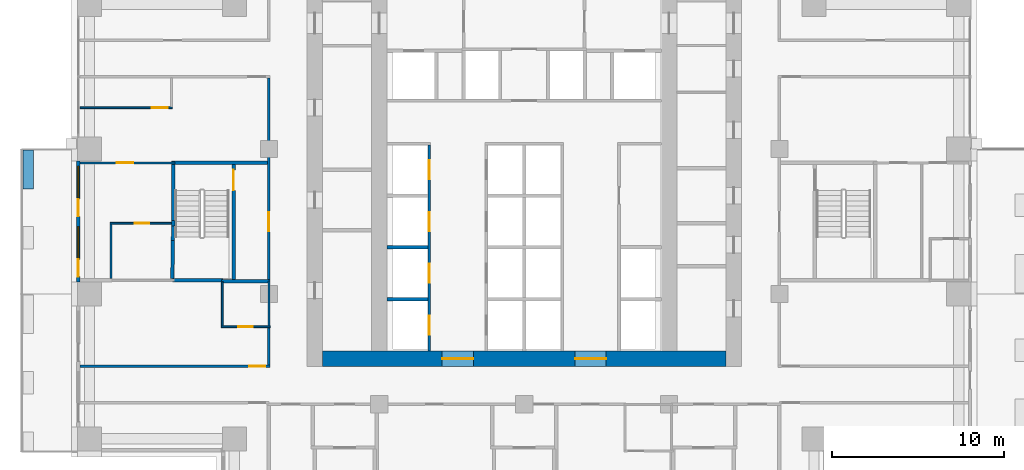
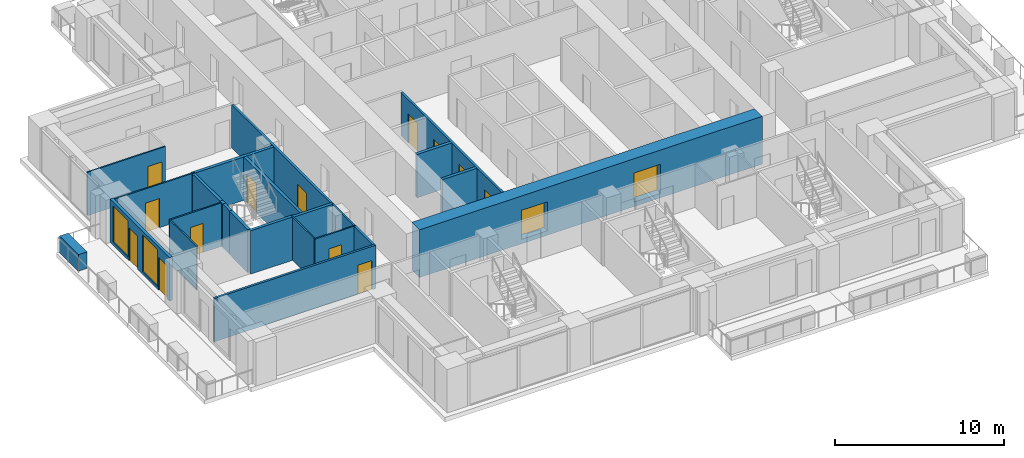
# One storey, part 9 of 17: 24 walls, 15 doors, 2 windows, 17 openings.
"""IFC4 building model written with IfcOpenShell, lengths in metres."""

from ifc_helpers import new_model, si_unit, direction, frame, frame_2d, origin, place, context, subcontext, project, spatial, rectangle, extrude, material, layer, layer_set, type_object, element, fill, save


model = new_model("IFC4")

# Units and contexts
model_context = context("Model", 3, precision=1e-05, world=origin(), true_north=direction((0.0, 1.0)))
body_context = subcontext(model_context, "Body", "Model", "MODEL_VIEW")
ifc_project = project(units=[si_unit("LENGTHUNIT", "METRE"), si_unit("AREAUNIT", "SQUARE_METRE"), si_unit("VOLUMEUNIT", "CUBIC_METRE"), si_unit("PLANEANGLEUNIT", "RADIAN"), si_unit("MASSUNIT", "GRAM", prefix="KILO")], contexts=[model_context])

# Site, building, storey
site_placement = place(None, origin())
site = spatial("IfcSite", under=ifc_project, at=site_placement, CompositionType="ELEMENT")
building_placement = place(site_placement, origin())
building = spatial("IfcBuilding", under=site, at=building_placement, Name="Vermilion Ogive Tower", CompositionType="ELEMENT")
storey_placement = place(building_placement, frame((0.0, 0.0, 51.75)))
storey = spatial("IfcBuildingStorey", under=building, at=storey_placement, Name="L11", CompositionType="ELEMENT", Elevation=51.75)

# Wall, openings, doors
ifc_material_1 = material(Name="Concrete B80", Category="concrete")
ifc_layer_1 = layer(ifc_material_1, 0.89990234375)
ifc_layer_set_1 = layer_set([ifc_layer_1], Name="Core wall 900 B80")
wall_type_1 = type_object("IfcWallType", Name="Core wall 900 B80", PredefinedType="SHEAR", material=ifc_layer_set_1)
wall_1_placement = place(storey_placement, frame((-11.699951171875, -7.949951171875, -0.320068359375), z_axis=(0.0, 0.0, 1.0), x_axis=(1.0, 0.0, 0.0)))
wall_1 = element("IfcWall", 1, at=wall_1_placement, inside=storey, type_object=wall_type_1, Name="L11-CORE-S", PredefinedType="SHEAR", context=body_context, shape_type="SweptSolid", body=[
    extrude(rectangle(XDim=23.39990234375, YDim=0.89990234375, at=frame_2d((11.699951171875, 0.0))), origin(), (0.0, 0.0, 1.0), 3.449951171875),
])
opening_1_placement = place(wall_1_placement, frame((6.949951171875, 0.0, 0.320068359375)))
opening_1 = element("IfcOpeningElement", 2, at=opening_1_placement, cuts=wall_1, Name="Opening DAH005", PredefinedType="OPENING", context=body_context, shape_type="SweptSolid", body=[
    extrude(rectangle(XDim=1.800048828125, YDim=2.10009765625, at=frame_2d((0.89990234375, 1.050048828125))), frame((0.0, 0.4599609375, 0.0), z_axis=(0.0, -1.0, 0.0), x_axis=(1.0, 0.0, 0.0)), (0.0, 0.0, 1.0), 0.919921875),
])
opening_2_placement = place(wall_1_placement, frame((14.64990234375, 0.0, 0.320068359375)))
opening_2 = element("IfcOpeningElement", 3, at=opening_2_placement, cuts=wall_1, Name="Opening DAH006", PredefinedType="OPENING", context=body_context, shape_type="SweptSolid", body=[
    extrude(rectangle(XDim=1.800048828125, YDim=2.10009765625, at=frame_2d((0.89990234375, 1.050048828125))), frame((0.0, 0.4599609375, 0.0), z_axis=(0.0, -1.0, 0.0), x_axis=(1.0, 0.0, 0.0)), (0.0, 0.0, 1.0), 0.919921875),
])
ifc_material_2 = material(Name="Timber door leaf", Category="wood")
door_type_1 = type_object("IfcDoorType", Name="Core entry door 1800 x 2100 FD60S", OperationType="DOUBLE_DOOR_SINGLE_SWING", PredefinedType="DOOR", material=ifc_material_2)
door_1_placement = place(opening_1_placement, origin())
door_1 = element("IfcDoor", 4, at=door_1_placement, inside=storey, type_object=door_type_1, Name="L11-CK-XD1", OperationType="SINGLE_SWING_LEFT", OverallHeight=2.10009765625, OverallWidth=1.800048828125, PredefinedType="DOOR", context=body_context, shape_type="SweptSolid", body=[
    extrude(rectangle(XDim=1.800048828125, YDim=2.10009765625, at=frame_2d((0.89990234375, 1.050048828125))), frame((0.0, 0.02490234375, 0.0), z_axis=(0.0, -1.0, 0.0), x_axis=(1.0, 0.0, 0.0)), (0.0, 0.0, 1.0), 0.050048828125),
])
fill(opening_1, door_1)
door_2_placement = place(opening_2_placement, origin())
door_2 = element("IfcDoor", 5, at=door_2_placement, inside=storey, type_object=door_type_1, Name="L11-CK-XD2", OperationType="SINGLE_SWING_LEFT", OverallHeight=2.10009765625, OverallWidth=1.800048828125, PredefinedType="DOOR", context=body_context, shape_type="SweptSolid", body=[
    extrude(rectangle(XDim=1.800048828125, YDim=2.10009765625, at=frame_2d((0.89990234375, 1.050048828125))), frame((0.0, 0.02490234375, 0.0), z_axis=(0.0, -1.0, 0.0), x_axis=(1.0, 0.0, 0.0)), (0.0, 0.0, 1.0), 0.050048828125),
])
fill(opening_2, door_2)

# Wall, opening, door
ifc_material_3 = material(Name="Gypsum board partition on steel studs", Category="steel")
ifc_layer_2 = layer(ifc_material_3, 0.10009765625)
ifc_layer_set_2 = layer_set([ifc_layer_2], Name="Partition 100 bath")
wall_type_2 = type_object("IfcWallType", Name="Partition 100 bath", PredefinedType="PARTITIONING", material=ifc_layer_set_2)
wall_2_placement = place(storey_placement, frame((-17.550048828125, -6.10009765625, 0.0), z_axis=(0.0, 0.0, 1.0), x_axis=(1.0, 0.0, 0.0)))
wall_2 = element("IfcWall", 6, at=wall_2_placement, inside=storey, type_object=wall_type_2, Name="L11-W-W017", PredefinedType="PARTITIONING", context=body_context, shape_type="SweptSolid", body=[
    extrude(rectangle(XDim=2.824951171875, YDim=0.10009765625, at=frame_2d((1.41259765625, 0.0))), origin(), (0.0, 0.0, 1.0), 3.1298828125),
])
opening_3_placement = place(wall_2_placement, frame((0.97509765625, 0.0, 0.0)))
opening_3 = element("IfcOpeningElement", 7, at=opening_3_placement, cuts=wall_2, Name="Opening D1G3004", PredefinedType="OPENING", context=body_context, shape_type="SweptSolid", body=[
    extrude(rectangle(XDim=0.85009765625, YDim=2.10009765625, at=frame_2d((0.425048828125, 1.050048828125))), frame((0.0, 0.06005859375, 0.0), z_axis=(0.0, -1.0, 0.0), x_axis=(1.0, 0.0, 0.0)), (0.0, 0.0, 1.0), 0.1201171875),
])
ifc_material_4 = material(Name="Timber door leaf", Category="wood")
door_type_2 = type_object("IfcDoorType", Name="Bath door 850 x 2100 FD30", OperationType="SINGLE_SWING_LEFT", PredefinedType="DOOR", material=ifc_material_4)
door_3_placement = place(opening_3_placement, origin())
door_3 = element("IfcDoor", 8, at=door_3_placement, inside=storey, type_object=door_type_2, Name="L11-D-D004", OperationType="SINGLE_SWING_LEFT", OverallHeight=2.10009765625, OverallWidth=0.85009765625, PredefinedType="DOOR", context=body_context, shape_type="SweptSolid", body=[
    extrude(rectangle(XDim=0.85009765625, YDim=2.10009765625, at=frame_2d((0.425048828125, 1.050048828125))), frame((0.0, 0.02490234375, 0.0), z_axis=(0.0, -1.0, 0.0), x_axis=(1.0, 0.0, 0.0)), (0.0, 0.0, 1.0), 0.050048828125),
])
fill(opening_3, door_3)

wall_3_placement = place(storey_placement, frame((-24.0, -0.10009765625, 0.0), z_axis=(0.0, 0.0, 1.0), x_axis=(1.0, 0.0, 0.0)))
wall_3 = element("IfcWall", 9, at=wall_3_placement, inside=storey, type_object=wall_type_2, Name="L11-W-W025", PredefinedType="PARTITIONING", context=body_context, shape_type="SweptSolid", body=[
    extrude(rectangle(XDim=3.550048828125, YDim=0.10009765625, at=frame_2d((1.77490234375, 0.0))), origin(), (0.0, 0.0, 1.0), 3.1298828125),
])
opening_4_placement = place(wall_3_placement, frame((1.425048828125, 0.0, 0.0)))
opening_4 = element("IfcOpeningElement", 10, at=opening_4_placement, cuts=wall_3, Name="Opening D1G3008", PredefinedType="OPENING", context=body_context, shape_type="SweptSolid", body=[
    extrude(rectangle(XDim=0.85009765625, YDim=2.10009765625, at=frame_2d((0.425048828125, 1.050048828125))), frame((0.0, 0.06005859375, 0.0), z_axis=(0.0, -1.0, 0.0), x_axis=(1.0, 0.0, 0.0)), (0.0, 0.0, 1.0), 0.1201171875),
])
door_4_placement = place(opening_4_placement, origin())
door_4 = element("IfcDoor", 11, at=door_4_placement, inside=storey, type_object=door_type_2, Name="L11-D-D008", OperationType="SINGLE_SWING_RIGHT", OverallHeight=2.10009765625, OverallWidth=0.85009765625, PredefinedType="DOOR", context=body_context, shape_type="SweptSolid", body=[
    extrude(rectangle(XDim=0.85009765625, YDim=2.10009765625, at=frame_2d((0.425048828125, 1.050048828125))), frame((0.0, 0.02490234375, 0.0), z_axis=(0.0, -1.0, 0.0), x_axis=(1.0, 0.0, 0.0)), (0.0, 0.0, 1.0), 0.050048828125),
])
fill(opening_4, door_4)

# Walls
wall_4_placement = place(storey_placement, frame((-23.949951171875, -3.300048828125, 0.0), z_axis=(0.0, 0.0, 1.0), x_axis=(0.0, 1.0, 0.0)))
element("IfcWall", 12, at=wall_4_placement, inside=storey, type_object=wall_type_2, Name="L11-W-W041", PredefinedType="PARTITIONING", context=body_context, shape_type="SweptSolid", body=[
    extrude(rectangle(XDim=3.150146484375, YDim=0.10009765625, at=frame_2d((1.5751953125, 0.0))), origin(), (0.0, 0.0, 1.0), 3.1298828125),
])
wall_5_placement = place(storey_placement, frame((-17.5, -6.050048828125, 0.0), z_axis=(0.0, 0.0, 1.0), x_axis=(0.0, 1.0, 0.0)))
element("IfcWall", 13, at=wall_5_placement, inside=storey, type_object=wall_type_2, Name="L11-W-W045", PredefinedType="PARTITIONING", context=body_context, shape_type="SweptSolid", body=[
    extrude(rectangle(XDim=2.550048828125, YDim=0.10009765625, at=frame_2d((1.27490234375, 0.0))), origin(), (0.0, 0.0, 1.0), 3.1298828125),
])
wall_6_placement = place(storey_placement, frame((-14.800048828125, -6.050048828125, 0.0), z_axis=(0.0, 0.0, 1.0), x_axis=(0.0, 1.0, 0.0)))
element("IfcWall", 14, at=wall_6_placement, inside=storey, type_object=wall_type_2, Name="L11-W-W051", PredefinedType="PARTITIONING", context=body_context, shape_type="SweptSolid", body=[
    extrude(rectangle(XDim=2.60009765625, YDim=0.10009765625, at=frame_2d((1.300048828125, 0.0))), origin(), (0.0, 0.0, 1.0), 3.1298828125),
])

# Wall, opening, door
ifc_material_5 = material(Name="Gypsum board partition on steel studs", Category="steel")
ifc_layer_3 = layer(ifc_material_5, 0.10009765625)
ifc_layer_set_3 = layer_set([ifc_layer_3], Name="Partition 100 inner")
wall_type_3 = type_object("IfcWallType", Name="Partition 100 inner", PredefinedType="PARTITIONING", material=ifc_layer_set_3)
wall_7_placement = place(storey_placement, frame((-25.75, 3.39990234375, 0.0), z_axis=(0.0, 0.0, 1.0), x_axis=(1.0, 0.0, 0.0)))
wall_7 = element("IfcWall", 15, at=wall_7_placement, inside=storey, type_object=wall_type_3, Name="L11-W-W026", PredefinedType="PARTITIONING", context=body_context, shape_type="SweptSolid", body=[
    extrude(rectangle(XDim=5.5, YDim=0.10009765625, at=frame_2d((2.75, 0.0))), origin(), (0.0, 0.0, 1.0), 3.1298828125),
])
opening_5_placement = place(wall_7_placement, frame((2.125, 0.0, 0.0)))
opening_5 = element("IfcOpeningElement", 16, at=opening_5_placement, cuts=wall_7, Name="Opening D1G3007", PredefinedType="OPENING", context=body_context, shape_type="SweptSolid", body=[
    extrude(rectangle(XDim=0.949951171875, YDim=2.10009765625, at=frame_2d((0.47509765625, 1.050048828125))), frame((0.0, 0.06005859375, 0.0), z_axis=(0.0, -1.0, 0.0), x_axis=(1.0, 0.0, 0.0)), (0.0, 0.0, 1.0), 0.1201171875),
])
ifc_material_6 = material(Name="Timber door leaf", Category="wood")
door_type_3 = type_object("IfcDoorType", Name="Inner door 950 x 2100 FD30", OperationType="SINGLE_SWING_LEFT", PredefinedType="DOOR", material=ifc_material_6)
door_5_placement = place(opening_5_placement, origin())
door_5 = element("IfcDoor", 17, at=door_5_placement, inside=storey, type_object=door_type_3, Name="L11-D-D007", OperationType="SINGLE_SWING_LEFT", OverallHeight=2.10009765625, OverallWidth=0.949951171875, PredefinedType="DOOR", context=body_context, shape_type="SweptSolid", body=[
    extrude(rectangle(XDim=0.949951171875, YDim=2.10009765625, at=frame_2d((0.47509765625, 1.050048828125))), frame((0.0, 0.02490234375, 0.0), z_axis=(0.0, -1.0, 0.0), x_axis=(1.0, 0.0, 0.0)), (0.0, 0.0, 1.0), 0.050048828125),
])
fill(opening_5, door_5)

wall_8_placement = place(storey_placement, frame((-25.75, 6.60009765625, 0.0), z_axis=(0.0, 0.0, 1.0), x_axis=(1.0, 0.0, 0.0)))
wall_8 = element("IfcWall", 18, at=wall_8_placement, inside=storey, type_object=wall_type_3, Name="L11-W-W030", PredefinedType="PARTITIONING", context=body_context, shape_type="SweptSolid", body=[
    extrude(rectangle(XDim=5.35009765625, YDim=0.10009765625, at=frame_2d((2.675048828125, 0.0))), origin(), (0.0, 0.0, 1.0), 3.1298828125),
])
opening_6_placement = place(wall_8_placement, frame((4.14990234375, 0.0, 0.0)))
opening_6 = element("IfcOpeningElement", 19, at=opening_6_placement, cuts=wall_8, Name="Opening D1G3005", PredefinedType="OPENING", context=body_context, shape_type="SweptSolid", body=[
    extrude(rectangle(XDim=0.949951171875, YDim=2.10009765625, at=frame_2d((0.47509765625, 1.050048828125))), frame((0.0, 0.06005859375, 0.0), z_axis=(0.0, -1.0, 0.0), x_axis=(1.0, 0.0, 0.0)), (0.0, 0.0, 1.0), 0.1201171875),
])
door_6_placement = place(opening_6_placement, origin())
door_6 = element("IfcDoor", 20, at=door_6_placement, inside=storey, type_object=door_type_3, Name="L11-D-D005", OperationType="SINGLE_SWING_LEFT", OverallHeight=2.10009765625, OverallWidth=0.949951171875, PredefinedType="DOOR", context=body_context, shape_type="SweptSolid", body=[
    extrude(rectangle(XDim=0.949951171875, YDim=2.10009765625, at=frame_2d((0.47509765625, 1.050048828125))), frame((0.0, 0.02490234375, 0.0), z_axis=(0.0, -1.0, 0.0), x_axis=(1.0, 0.0, 0.0)), (0.0, 0.0, 1.0), 0.050048828125),
])
fill(opening_6, door_6)

ifc_material_7 = material(Name="Gypsum board partition on steel studs", Category="steel")
ifc_layer_4 = layer(ifc_material_7, 0.14990234375)
ifc_layer_set_4 = layer_set([ifc_layer_4], Name="Partition 150 corridor")
wall_type_4 = type_object("IfcWallType", Name="Partition 150 corridor", PredefinedType="PARTITIONING", material=ifc_layer_set_4)
wall_9_placement = place(storey_placement, frame((-25.75, -8.39990234375, 0.0), z_axis=(0.0, 0.0, 1.0), x_axis=(1.0, 0.0, 0.0)))
wall_9 = element("IfcWall", 21, at=wall_9_placement, inside=storey, type_object=wall_type_4, Name="L11-W-W015", PredefinedType="PARTITIONING", context=body_context, shape_type="SweptSolid", body=[
    extrude(rectangle(XDim=11.02490234375, YDim=0.14990234375, at=frame_2d((5.512451171875, 0.0))), origin(), (0.0, 0.0, 1.0), 3.1298828125),
])
opening_7_placement = place(wall_9_placement, frame((9.800048828125, 0.0, 0.0)))
opening_7 = element("IfcOpeningElement", 22, at=opening_7_placement, cuts=wall_9, Name="Opening D1G3003", PredefinedType="OPENING", context=body_context, shape_type="SweptSolid", body=[
    extrude(rectangle(XDim=0.949951171875, YDim=2.10009765625, at=frame_2d((0.47509765625, 1.050048828125))), frame((0.0, 0.0849609375, 0.0), z_axis=(0.0, -1.0, 0.0), x_axis=(1.0, 0.0, 0.0)), (0.0, 0.0, 1.0), 0.169921875),
])
ifc_material_8 = material(Name="Timber door leaf", Category="wood")
door_type_4 = type_object("IfcDoorType", Name="Unit door 950 x 2100 FD30S", OperationType="SINGLE_SWING_LEFT", PredefinedType="DOOR", material=ifc_material_8)
door_7_placement = place(opening_7_placement, origin())
door_7 = element("IfcDoor", 23, at=door_7_placement, inside=storey, type_object=door_type_4, Name="L11-D-D003", OperationType="SINGLE_SWING_LEFT", OverallHeight=2.10009765625, OverallWidth=0.949951171875, PredefinedType="DOOR", context=body_context, shape_type="SweptSolid", body=[
    extrude(rectangle(XDim=0.949951171875, YDim=2.10009765625, at=frame_2d((0.47509765625, 1.050048828125))), frame((0.0, 0.02490234375, 0.0), z_axis=(0.0, -1.0, 0.0), x_axis=(1.0, 0.0, 0.0)), (0.0, 0.0, 1.0), 0.050048828125),
])
fill(opening_7, door_7)

# Wall
wall_10_placement = place(storey_placement, frame((-14.800048828125, -8.324951171875, 0.0), z_axis=(0.0, 0.0, 1.0), x_axis=(0.0, 1.0, 0.0)))
element("IfcWall", 24, at=wall_10_placement, inside=storey, type_object=wall_type_4, Name="L11-W-W050", PredefinedType="PARTITIONING", context=body_context, shape_type="SweptSolid", body=[
    extrude(rectangle(XDim=2.175048828125, YDim=0.14990234375, at=frame_2d((1.08740234375, 0.0))), origin(), (0.0, 0.0, 1.0), 3.1298828125),
])

# Wall, opening, door
wall_11_placement = place(storey_placement, frame((-14.800048828125, -3.35009765625, 0.0), z_axis=(0.0, 0.0, 1.0), x_axis=(0.0, 1.0, 0.0)))
wall_11 = element("IfcWall", 25, at=wall_11_placement, inside=storey, type_object=wall_type_4, Name="L11-W-W052", PredefinedType="PARTITIONING", context=body_context, shape_type="SweptSolid", body=[
    extrude(rectangle(XDim=11.675048828125, YDim=0.14990234375, at=frame_2d((5.83740234375, 0.0))), origin(), (0.0, 0.0, 1.0), 3.1298828125),
])
opening_8_placement = place(wall_11_placement, frame((2.800048828125, 0.0, 0.0)))
opening_8 = element("IfcOpeningElement", 26, at=opening_8_placement, cuts=wall_11, Name="Opening D1G3031", PredefinedType="OPENING", context=body_context, shape_type="SweptSolid", body=[
    extrude(rectangle(XDim=1.10009765625, YDim=2.10009765625, at=frame_2d((0.550048828125, 1.050048828125))), frame((0.0, 0.0849609375, 0.0), z_axis=(0.0, -1.0, 0.0), x_axis=(1.0, 0.0, 0.0)), (0.0, 0.0, 1.0), 0.169921875),
])
ifc_material_9 = material(Name="Timber door leaf", Category="wood")
door_type_5 = type_object("IfcDoorType", Name="Stair door 1100 x 2100 FD60S", OperationType="SINGLE_SWING_LEFT", PredefinedType="DOOR", material=ifc_material_9)
door_8_placement = place(opening_8_placement, origin())
door_8 = element("IfcDoor", 27, at=door_8_placement, inside=storey, type_object=door_type_5, Name="L11-D-D031", OperationType="SINGLE_SWING_RIGHT", OverallHeight=2.10009765625, OverallWidth=1.10009765625, PredefinedType="DOOR", context=body_context, shape_type="SweptSolid", body=[
    extrude(rectangle(XDim=1.10009765625, YDim=2.10009765625, at=frame_2d((0.550048828125, 1.050048828125))), frame((0.0, 0.02490234375, 0.0), z_axis=(0.0, -1.0, 0.0), x_axis=(1.0, 0.0, 0.0)), (0.0, 0.0, 1.0), 0.050048828125),
])
fill(opening_8, door_8)

# Wall, openings, doors
wall_12_placement = place(storey_placement, frame((-5.5, -7.4990234375, 0.0), z_axis=(0.0, 0.0, 1.0), x_axis=(0.0, 1.0, 0.0)))
wall_12 = element("IfcWall", 28, at=wall_12_placement, inside=storey, type_object=wall_type_4, Name="L11-CK-W-W021", PredefinedType="PARTITIONING", context=body_context, shape_type="SweptSolid", body=[
    extrude(rectangle(XDim=11.924072265625, YDim=0.14990234375, at=frame_2d((5.9619140625, 0.0))), origin(), (0.0, 0.0, 1.0), 3.1298828125),
])
opening_9_placement = place(wall_12_placement, frame((0.948974609375, 0.0, 0.0)))
opening_9 = element("IfcOpeningElement", 29, at=opening_9_placement, cuts=wall_12, Name="Opening DAA056", PredefinedType="OPENING", context=body_context, shape_type="SweptSolid", body=[
    extrude(rectangle(XDim=1.10009765625, YDim=2.10009765625, at=frame_2d((0.550048828125, 1.050048828125))), frame((0.0, 0.0849609375, 0.0), z_axis=(0.0, -1.0, 0.0), x_axis=(1.0, 0.0, 0.0)), (0.0, 0.0, 1.0), 0.169921875),
])
opening_10_placement = place(wall_12_placement, frame((3.948974609375, 0.0, 0.0)))
opening_10 = element("IfcOpeningElement", 30, at=opening_10_placement, cuts=wall_12, Name="Opening DAA059", PredefinedType="OPENING", context=body_context, shape_type="SweptSolid", body=[
    extrude(rectangle(XDim=1.10009765625, YDim=2.10009765625, at=frame_2d((0.550048828125, 1.050048828125))), frame((0.0, 0.0849609375, 0.0), z_axis=(0.0, -1.0, 0.0), x_axis=(1.0, 0.0, 0.0)), (0.0, 0.0, 1.0), 0.169921875),
])
opening_11_placement = place(wall_12_placement, frame((6.948974609375, 0.0, 0.0)))
opening_11 = element("IfcOpeningElement", 31, at=opening_11_placement, cuts=wall_12, Name="Opening DAA060", PredefinedType="OPENING", context=body_context, shape_type="SweptSolid", body=[
    extrude(rectangle(XDim=1.10009765625, YDim=2.10009765625, at=frame_2d((0.550048828125, 1.050048828125))), frame((0.0, 0.0849609375, 0.0), z_axis=(0.0, -1.0, 0.0), x_axis=(1.0, 0.0, 0.0)), (0.0, 0.0, 1.0), 0.169921875),
])
opening_12_placement = place(wall_12_placement, frame((9.948974609375, 0.0, 0.0)))
opening_12 = element("IfcOpeningElement", 32, at=opening_12_placement, cuts=wall_12, Name="Opening DAA061", PredefinedType="OPENING", context=body_context, shape_type="SweptSolid", body=[
    extrude(rectangle(XDim=1.10009765625, YDim=2.10009765625, at=frame_2d((0.550048828125, 1.050048828125))), frame((0.0, 0.0849609375, 0.0), z_axis=(0.0, -1.0, 0.0), x_axis=(1.0, 0.0, 0.0)), (0.0, 0.0, 1.0), 0.169921875),
])
ifc_material_10 = material(Name="Stainless steel", Category="steel")
door_type_6 = type_object("IfcDoorType", Name="Lift landing door 1100 x 2100", OperationType="SLIDING_TO_LEFT", PredefinedType="DOOR", material=ifc_material_10)
door_9_placement = place(opening_9_placement, origin())
door_9 = element("IfcDoor", 33, at=door_9_placement, inside=storey, type_object=door_type_6, Name="L11-CK-D-D001", OperationType="SLIDING_TO_RIGHT", OverallHeight=2.10009765625, OverallWidth=1.10009765625, PredefinedType="DOOR", context=body_context, shape_type="SweptSolid", body=[
    extrude(rectangle(XDim=1.10009765625, YDim=2.10009765625, at=frame_2d((0.550048828125, 1.050048828125))), frame((0.0, 0.02490234375, 0.0), z_axis=(0.0, -1.0, 0.0), x_axis=(1.0, 0.0, 0.0)), (0.0, 0.0, 1.0), 0.050048828125),
])
fill(opening_9, door_9)
door_10_placement = place(opening_10_placement, origin())
door_10 = element("IfcDoor", 34, at=door_10_placement, inside=storey, type_object=door_type_6, Name="L11-CK-D-D002", OperationType="SLIDING_TO_RIGHT", OverallHeight=2.10009765625, OverallWidth=1.10009765625, PredefinedType="DOOR", context=body_context, shape_type="SweptSolid", body=[
    extrude(rectangle(XDim=1.10009765625, YDim=2.10009765625, at=frame_2d((0.550048828125, 1.050048828125))), frame((0.0, 0.02490234375, 0.0), z_axis=(0.0, -1.0, 0.0), x_axis=(1.0, 0.0, 0.0)), (0.0, 0.0, 1.0), 0.050048828125),
])
fill(opening_10, door_10)
door_11_placement = place(opening_11_placement, origin())
door_11 = element("IfcDoor", 35, at=door_11_placement, inside=storey, type_object=door_type_6, Name="L11-CK-D-D003", OperationType="SLIDING_TO_RIGHT", OverallHeight=2.10009765625, OverallWidth=1.10009765625, PredefinedType="DOOR", context=body_context, shape_type="SweptSolid", body=[
    extrude(rectangle(XDim=1.10009765625, YDim=2.10009765625, at=frame_2d((0.550048828125, 1.050048828125))), frame((0.0, 0.02490234375, 0.0), z_axis=(0.0, -1.0, 0.0), x_axis=(1.0, 0.0, 0.0)), (0.0, 0.0, 1.0), 0.050048828125),
])
fill(opening_11, door_11)
door_12_placement = place(opening_12_placement, origin())
door_12 = element("IfcDoor", 36, at=door_12_placement, inside=storey, type_object=door_type_6, Name="L11-CK-D-D004", OperationType="SLIDING_TO_RIGHT", OverallHeight=2.10009765625, OverallWidth=1.10009765625, PredefinedType="DOOR", context=body_context, shape_type="SweptSolid", body=[
    extrude(rectangle(XDim=1.10009765625, YDim=2.10009765625, at=frame_2d((0.550048828125, 1.050048828125))), frame((0.0, 0.02490234375, 0.0), z_axis=(0.0, -1.0, 0.0), x_axis=(1.0, 0.0, 0.0)), (0.0, 0.0, 1.0), 0.050048828125),
])
fill(opening_12, door_12)

# Walls
ifc_material_11 = material(Name="Gypsum board partition on steel studs", Category="steel")
ifc_layer_5 = layer(ifc_material_11, 0.199951171875)
ifc_layer_set_5 = layer_set([ifc_layer_5], Name="Partition 200 party")
wall_type_5 = type_object("IfcWallType", Name="Partition 200 party", PredefinedType="PARTITIONING", material=ifc_layer_set_5)
for number, where, z_axis, x_axis, name in (
    (37, (-7.948974609375, -4.5, 0.0), (0.0, 0.0, 1.0), (1.0, 0.0, 0.0), "L11-CK-W-W001"),
    (38, (-7.948974609375, -1.5, 0.0), (0.0, 0.0, 1.0), (1.0, 0.0, 0.0), "L11-CK-W-W004"),
):
    element("IfcWall", number, at=place(storey_placement, frame(where, z_axis=z_axis, x_axis=x_axis)), inside=storey, type_object=wall_type_5, Name=name, PredefinedType="PARTITIONING", context=body_context, shape_type="SweptSolid", body=[
        extrude(rectangle(XDim=2.3740234375, YDim=0.199951171875, at=frame_2d((1.18701171875, 0.0))), origin(), (0.0, 0.0, 1.0), 3.1298828125),
    ])
ifc_material_12 = material(Name="Concrete B60", Category="concrete")
ifc_layer_6 = layer(ifc_material_12, 0.199951171875)
ifc_layer_set_6 = layer_set([ifc_layer_6], Name="Stair shaft wall 200 Concrete B60")
wall_type_6 = type_object("IfcWallType", Name="Stair shaft wall 200 Concrete B60", PredefinedType="SOLIDWALL", material=ifc_layer_set_6)
wall_13_placement = place(storey_placement, frame((-20.39990234375, -3.39990234375, 0.0), z_axis=(0.0, 0.0, 1.0), x_axis=(1.0, 0.0, 0.0)))
element("IfcWall", 39, at=wall_13_placement, inside=storey, type_object=wall_type_6, Name="L11-W-W020", PredefinedType="SOLIDWALL", context=body_context, shape_type="SweptSolid", body=[
    extrude(rectangle(XDim=2.949951171875, YDim=0.199951171875, at=frame_2d((1.47509765625, 0.0))), origin(), (0.0, 0.0, 1.0), 3.1298828125),
])
wall_14_placement = place(storey_placement, frame((-17.550048828125, -3.449951171875, 0.0), z_axis=(0.0, 0.0, 1.0), x_axis=(1.0, 0.0, 0.0)))
element("IfcWall", 40, at=wall_14_placement, inside=storey, type_object=wall_type_6, Name="L11-W-W021", PredefinedType="SOLIDWALL", context=body_context, shape_type="SweptSolid", body=[
    extrude(rectangle(XDim=2.824951171875, YDim=0.199951171875, at=frame_2d((1.41259765625, 0.0))), origin(), (0.0, 0.0, 1.0), 3.1298828125),
])
wall_15_placement = place(storey_placement, frame((-20.449951171875, 3.39990234375, 0.0), z_axis=(0.0, 0.0, 1.0), x_axis=(1.0, 0.0, 0.0)))
element("IfcWall", 41, at=wall_15_placement, inside=storey, type_object=wall_type_6, Name="L11-W-W027", PredefinedType="SOLIDWALL", context=body_context, shape_type="SweptSolid", body=[
    extrude(rectangle(XDim=5.574951171875, YDim=0.199951171875, at=frame_2d((2.78759765625, 0.0))), origin(), (0.0, 0.0, 1.0), 3.1298828125),
])
wall_16_placement = place(storey_placement, frame((-20.400146484375, -3.300048828125, 0.0), z_axis=(0.0, 0.0, 1.0), x_axis=(0.016200292967, 0.999868766643, 0.0)))
element("IfcWall", 42, at=wall_16_placement, inside=storey, type_object=wall_type_6, Name="L11-W-W043", PredefinedType="SOLIDWALL", context=body_context, shape_type="SweptSolid", body=[
    extrude(rectangle(XDim=2.2001953125, YDim=0.199951171875, at=frame_2d((1.10009765625, 0.0))), origin(), (0.0, 0.0, 1.0), 3.1298828125),
])
wall_17_placement = place(storey_placement, frame((-20.35009765625, 0.070068359375, 0.0), z_axis=(0.0, 0.0, 1.0), x_axis=(0.0, 1.0, 0.0)))
element("IfcWall", 43, at=wall_17_placement, inside=storey, type_object=wall_type_6, Name="L11-W-W044", PredefinedType="SOLIDWALL", context=body_context, shape_type="SweptSolid", body=[
    extrude(rectangle(XDim=3.22998046875, YDim=0.199951171875, at=frame_2d((1.614990234375, 0.0))), origin(), (0.0, 0.0, 1.0), 3.1298828125),
])

# Wall, opening, door
wall_18_placement = place(storey_placement, frame((-16.85009765625, -3.35009765625, 0.0), z_axis=(0.0, 0.0, 1.0), x_axis=(0.0, 1.0, 0.0)))
wall_18 = element("IfcWall", 44, at=wall_18_placement, inside=storey, type_object=wall_type_6, Name="L11-W-W047", PredefinedType="SOLIDWALL", context=body_context, shape_type="SweptSolid", body=[
    extrude(rectangle(XDim=6.650146484375, YDim=0.199951171875, at=frame_2d((3.3251953125, 0.0))), origin(), (0.0, 0.0, 1.0), 3.1298828125),
])
opening_13_placement = place(wall_18_placement, frame((5.14990234375, 0.0, 0.0)))
opening_13 = element("IfcOpeningElement", 45, at=opening_13_placement, cuts=wall_18, Name="Opening D1G3032", PredefinedType="OPENING", context=body_context, shape_type="SweptSolid", body=[
    extrude(rectangle(XDim=1.199951171875, YDim=2.10009765625, at=frame_2d((0.60009765625, 1.050048828125))), frame((0.0, 0.10986328125, 0.0), z_axis=(0.0, -1.0, 0.0), x_axis=(1.0, 0.0, 0.0)), (0.0, 0.0, 1.0), 0.219970703125),
])
ifc_material_13 = material(Name="Timber door leaf", Category="wood")
door_type_7 = type_object("IfcDoorType", Name="Stair door 1200 x 2100 FD60S", OperationType="SINGLE_SWING_LEFT", PredefinedType="DOOR", material=ifc_material_13)
door_13_placement = place(opening_13_placement, origin())
door_13 = element("IfcDoor", 46, at=door_13_placement, inside=storey, type_object=door_type_7, Name="L11-D-D032", OperationType="SINGLE_SWING_RIGHT", OverallHeight=2.10009765625, OverallWidth=1.199951171875, PredefinedType="DOOR", context=body_context, shape_type="SweptSolid", body=[
    extrude(rectangle(XDim=1.199951171875, YDim=2.10009765625, at=frame_2d((0.60009765625, 1.050048828125))), frame((0.0, 0.02490234375, 0.0), z_axis=(0.0, -1.0, 0.0), x_axis=(1.0, 0.0, 0.0)), (0.0, 0.0, 1.0), 0.050048828125),
])
fill(opening_13, door_13)

# Walls
wall_19_placement = place(storey_placement, frame((-20.35009765625, -0.27001953125, 0.0), z_axis=(0.0, 0.0, 1.0), x_axis=(0.0, 1.0, 0.0)))
element("IfcWall", 47, at=wall_19_placement, inside=storey, type_object=wall_type_6, Name="L11-SW-ST9-W1", PredefinedType="SOLIDWALL", context=body_context, shape_type="SweptSolid", body=[
    extrude(rectangle(XDim=0.340087890625, YDim=0.199951171875, at=frame_2d((0.169921875, 0.0))), origin(), (0.0, 0.0, 1.0), 3.1298828125),
])
wall_20_placement = place(storey_placement, frame((-20.364501953125, -1.10009765625, 0.0), z_axis=(0.0, 0.0, 1.0), x_axis=(0.015880350165, 0.999873899289, 0.0)))
element("IfcWall", 48, at=wall_20_placement, inside=storey, type_object=wall_type_6, Name="L11-W-W043-B", PredefinedType="SOLIDWALL", context=body_context, shape_type="SweptSolid", body=[
    extrude(rectangle(XDim=0.830078125, YDim=0.199951171875, at=frame_2d((0.4150390625, 0.0))), origin(), (0.0, 0.0, 1.0), 3.1298828125),
])
ifc_material_14 = material(Name="Concrete B40", Category="concrete")
ifc_layer_7 = layer(ifc_material_14, 0.60009765625)
ifc_layer_set_7 = layer_set([ifc_layer_7], Name="Structural planter")
wall_type_7 = type_object("IfcWallType", Name="Structural planter", PredefinedType="USERDEFINED", material=ifc_layer_set_7)
wall_21_placement = place(storey_placement, frame((-28.75, 4.139892578125, -0.0400390625), z_axis=(0.0, 0.0, 1.0), x_axis=(0.0, -1.0, 0.0)))
element("IfcWall", 49, at=wall_21_placement, inside=storey, type_object=wall_type_7, Name="Planter W02A1", ObjectType="PLANTER", PredefinedType="USERDEFINED", context=body_context, shape_type="SweptSolid", body=[
    extrude(rectangle(XDim=2.239990234375, YDim=0.60009765625, at=frame_2d((1.1201171875, 0.0))), origin(), (0.0, 0.0, 1.0), 1.199951171875),
])

# Wall, openings, doors, windows
ifc_material_15 = material(Name="Aluminium window wall framing", Category="aluminium")
ifc_layer_8 = layer(ifc_material_15, 0.199951171875)
ifc_layer_set_8 = layer_set([ifc_layer_8], Name="Window wall")
wall_type_8 = type_object("IfcWallType", Name="Window wall", PredefinedType="STANDARD", material=ifc_layer_set_8)
wall_22_placement = place(storey_placement, frame((-25.85009765625, 3.5, 0.0), z_axis=(0.0, 0.0, 1.0), x_axis=(0.0, -1.0, 0.0)))
wall_22 = element("IfcWall", 50, at=wall_22_placement, inside=storey, type_object=wall_type_8, Name="Window wall W2", PredefinedType="STANDARD", context=body_context, shape_type="SweptSolid", body=[
    extrude(rectangle(XDim=7.0, YDim=0.199951171875, at=frame_2d((3.5, 0.0))), origin(), (0.0, 0.0, 1.0), 3.1298828125),
])
opening_14_placement = place(wall_22_placement, frame((3.800048828125, 0.0, 0.199951171875)))
opening_14 = element("IfcOpeningElement", 51, at=opening_14_placement, cuts=wall_22, Name="Opening W1-W99", PredefinedType="OPENING", context=body_context, shape_type="SweptSolid", body=[
    extrude(rectangle(XDim=1.800048828125, YDim=2.64990234375, at=frame_2d((0.89990234375, 1.324951171875))), frame((0.0, 0.10986328125, 0.0), z_axis=(0.0, -1.0, 0.0), x_axis=(1.0, 0.0, 0.0)), (0.0, 0.0, 1.0), 0.219970703125),
])
opening_15_placement = place(wall_22_placement, frame((5.699951171875, 0.0, 0.0)))
opening_15 = element("IfcOpeningElement", 52, at=opening_15_placement, cuts=wall_22, Name="Opening D1-W99", PredefinedType="OPENING", context=body_context, shape_type="SweptSolid", body=[
    extrude(rectangle(XDim=1.0, YDim=2.39990234375, at=frame_2d((0.5, 1.199951171875))), frame((0.0, 0.10986328125, 0.0), z_axis=(0.0, -1.0, 0.0), x_axis=(1.0, 0.0, 0.0)), (0.0, 0.0, 1.0), 0.219970703125),
])
opening_16_placement = place(wall_22_placement, frame((0.300048828125, 0.0, 0.199951171875)))
opening_16 = element("IfcOpeningElement", 53, at=opening_16_placement, cuts=wall_22, Name="Opening W1-W00", PredefinedType="OPENING", context=body_context, shape_type="SweptSolid", body=[
    extrude(rectangle(XDim=1.800048828125, YDim=2.64990234375, at=frame_2d((0.89990234375, 1.324951171875))), frame((0.0, 0.10986328125, 0.0), z_axis=(0.0, -1.0, 0.0), x_axis=(1.0, 0.0, 0.0)), (0.0, 0.0, 1.0), 0.219970703125),
])
opening_17_placement = place(wall_22_placement, frame((2.199951171875, 0.0, 0.0)))
opening_17 = element("IfcOpeningElement", 54, at=opening_17_placement, cuts=wall_22, Name="Opening D1-W00", PredefinedType="OPENING", context=body_context, shape_type="SweptSolid", body=[
    extrude(rectangle(XDim=1.0, YDim=2.39990234375, at=frame_2d((0.5, 1.199951171875))), frame((0.0, 0.10986328125, 0.0), z_axis=(0.0, -1.0, 0.0), x_axis=(1.0, 0.0, 0.0)), (0.0, 0.0, 1.0), 0.219970703125),
])
ifc_material_16 = material(Name="Aluminium framed glazed door", Category="aluminium")
door_type_8 = type_object("IfcDoorType", Name="Balcony door D1", OperationType="SINGLE_SWING_LEFT", PredefinedType="DOOR", material=ifc_material_16)
door_14_placement = place(opening_15_placement, origin())
door_14 = element("IfcDoor", 55, at=door_14_placement, inside=storey, type_object=door_type_8, Name="Balcony door W99", OperationType="SINGLE_SWING_LEFT", OverallHeight=2.39990234375, OverallWidth=1.0, PredefinedType="DOOR", context=body_context, shape_type="SweptSolid", body=[
    extrude(rectangle(XDim=1.0, YDim=2.39990234375, at=frame_2d((0.5, 1.199951171875))), frame((0.0, 0.02490234375, 0.0), z_axis=(0.0, -1.0, 0.0), x_axis=(1.0, 0.0, 0.0)), (0.0, 0.0, 1.0), 0.050048828125),
])
fill(opening_15, door_14)
door_15_placement = place(opening_17_placement, origin())
door_15 = element("IfcDoor", 56, at=door_15_placement, inside=storey, type_object=door_type_8, Name="Balcony door W00", OperationType="SINGLE_SWING_LEFT", OverallHeight=2.39990234375, OverallWidth=1.0, PredefinedType="DOOR", context=body_context, shape_type="SweptSolid", body=[
    extrude(rectangle(XDim=1.0, YDim=2.39990234375, at=frame_2d((0.5, 1.199951171875))), frame((0.0, 0.02490234375, 0.0), z_axis=(0.0, -1.0, 0.0), x_axis=(1.0, 0.0, 0.0)), (0.0, 0.0, 1.0), 0.050048828125),
])
fill(opening_17, door_15)
ifc_material_17 = material(Name="Aluminium framed double glazing", Category="aluminium")
window_type = type_object("IfcWindowType", Name="Guest window W1", PartitioningType="SINGLE_PANEL", PredefinedType="WINDOW", material=ifc_material_17)
window_1_placement = place(opening_14_placement, origin())
window_1 = element("IfcWindow", 57, at=window_1_placement, inside=storey, type_object=window_type, Name="Window W99", OverallHeight=2.64990234375, OverallWidth=1.800048828125, PartitioningType="SINGLE_PANEL", PredefinedType="WINDOW", context=body_context, shape_type="SweptSolid", body=[
    extrude(rectangle(XDim=1.800048828125, YDim=2.64990234375, at=frame_2d((0.89990234375, 1.324951171875))), frame((0.0, 0.030029296875, 0.0), z_axis=(0.0, -1.0, 0.0), x_axis=(1.0, 0.0, 0.0)), (0.0, 0.0, 1.0), 0.06005859375),
])
fill(opening_14, window_1)
window_2_placement = place(opening_16_placement, origin())
window_2 = element("IfcWindow", 58, at=window_2_placement, inside=storey, type_object=window_type, Name="Window W00", OverallHeight=2.64990234375, OverallWidth=1.800048828125, PartitioningType="SINGLE_PANEL", PredefinedType="WINDOW", context=body_context, shape_type="SweptSolid", body=[
    extrude(rectangle(XDim=1.800048828125, YDim=2.64990234375, at=frame_2d((0.89990234375, 1.324951171875))), frame((0.0, 0.030029296875, 0.0), z_axis=(0.0, -1.0, 0.0), x_axis=(1.0, 0.0, 0.0)), (0.0, 0.0, 1.0), 0.06005859375),
])
fill(opening_16, window_2)

save(model, "model.ifc")
